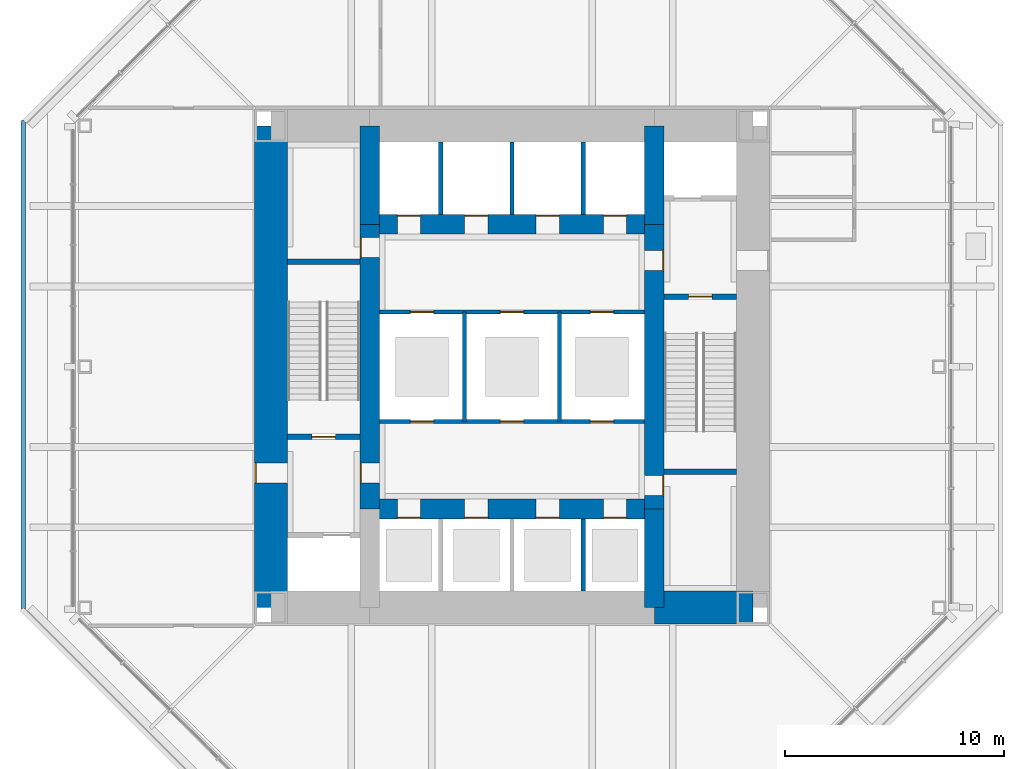
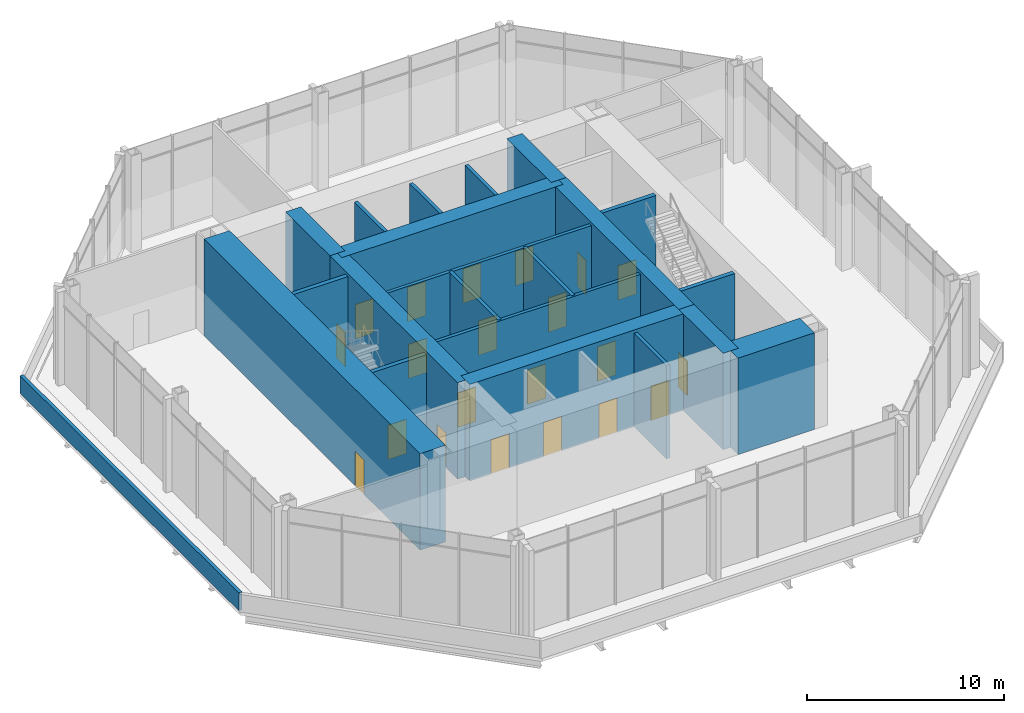
# One storey, part 7 of 10: 22 walls, 21 doors, 21 openings.
"""IFC4 building model written with IfcOpenShell, lengths in metres."""

from ifc_helpers import new_model, si_unit, direction, frame, frame_2d, origin, place, context, subcontext, project, spatial, rectangle, extrude, material, layer, layer_set, type_object, element, fill, save


model = new_model("IFC4")

# Units and contexts
model_context = context("Model", 3, precision=1e-05, world=origin(), true_north=direction((0.0, 1.0)))
body_context = subcontext(model_context, "Body", "Model", "MODEL_VIEW")
ifc_project = project(units=[si_unit("LENGTHUNIT", "METRE"), si_unit("AREAUNIT", "SQUARE_METRE"), si_unit("VOLUMEUNIT", "CUBIC_METRE"), si_unit("PLANEANGLEUNIT", "RADIAN"), si_unit("MASSUNIT", "GRAM", prefix="KILO")], contexts=[model_context])

# Site, building, storey
site_placement = place(None, origin())
site = spatial("IfcSite", under=ifc_project, at=site_placement, CompositionType="ELEMENT")
building_placement = place(site_placement, origin())
building = spatial("IfcBuilding", under=site, at=building_placement, Name="Trevanion Tower", CompositionType="ELEMENT")
storey_placement = place(building_placement, frame((0.0, 0.0, 184.699951171875)))
storey = spatial("IfcBuildingStorey", under=building, at=storey_placement, Name="L43", CompositionType="ELEMENT", Elevation=184.699951171875)

# Wall, opening, door
ifc_material_1 = material(Name="Concrete 10,000 psi", Category="concrete")
ifc_layer_1 = layer(ifc_material_1, 1.5)
ifc_layer_set_1 = layer_set([ifc_layer_1], Name="CW1 core wall 1500")
wall_type_1 = type_object("IfcWallType", Name="CW1 core wall 1500", PredefinedType="SHEAR", material=ifc_layer_set_1)
wall_1_placement = place(storey_placement, frame((-11.0, 11.0, 0.0), z_axis=(0.0, 0.0, 1.0), x_axis=(0.0, -1.0, 0.0)))
wall_1 = element("IfcWall", 1, at=wall_1_placement, inside=storey, type_object=wall_type_1, Name="CW1 CW L43", PredefinedType="SHEAR", context=body_context, shape_type="SweptSolid", body=[
    extrude(rectangle(XDim=22.0, YDim=1.5, at=frame_2d((11.0, 0.0))), origin(), (0.0, 0.0, 1.0), 6.0),
])
opening_1_placement = place(wall_1_placement, frame((15.392578125, 0.0, 0.0)))
opening_1 = element("IfcOpeningElement", 2, at=opening_1_placement, cuts=wall_1, Name="Opening 43-002", PredefinedType="OPENING", context=body_context, shape_type="SweptSolid", body=[
    extrude(rectangle(XDim=0.9150390625, YDim=2.134033203125, at=frame_2d((0.45751953125, 1.06689453125))), frame((0.0, 0.760009765625, 0.0), z_axis=(0.0, -1.0, 0.0), x_axis=(1.0, 0.0, 0.0)), (0.0, 0.0, 1.0), 1.52001953125),
])
ifc_material_2 = material(Name="Hollow metal, fire rated", Category="steel")
door_type_1 = type_object("IfcDoorType", Name="D3 fire lift lobby door", OperationType="SINGLE_SWING_RIGHT", PredefinedType="DOOR", material=ifc_material_2)
door_1_placement = place(opening_1_placement, origin())
door_1 = element("IfcDoor", 3, at=door_1_placement, inside=storey, type_object=door_type_1, Name="Door 43-002", OperationType="SINGLE_SWING_RIGHT", OverallHeight=2.134033203125, OverallWidth=0.9150390625, PredefinedType="DOOR", context=body_context, shape_type="SweptSolid", body=[
    extrude(rectangle(XDim=0.9150390625, YDim=2.134033203125, at=frame_2d((0.45751953125, 1.06689453125))), frame((0.0, -0.6748046875, 0.0), z_axis=(0.0, -1.0, 0.0), x_axis=(1.0, 0.0, 0.0)), (0.0, 0.0, 1.0), 0.050048828125),
])
fill(opening_1, door_1)

# Walls
wall_2_placement = place(storey_placement, frame((6.5, -11.0, 0.0), z_axis=(0.0, 0.0, 1.0), x_axis=(1.0, 0.0, 0.0)))
element("IfcWall", 4, at=wall_2_placement, inside=storey, type_object=wall_type_1, Name="CW1 CS3 L43", PredefinedType="SHEAR", context=body_context, shape_type="SweptSolid", body=[
    extrude(rectangle(XDim=4.5, YDim=1.5, at=frame_2d((2.25, 0.0))), origin(), (0.0, 0.0, 1.0), 6.0),
])
ifc_material_3 = material(Name="Concrete 10,000 psi", Category="concrete")
ifc_layer_2 = layer(ifc_material_3, 0.89990234375)
ifc_layer_set_2 = layer_set([ifc_layer_2], Name="CW2 core wall 900")
wall_type_2 = type_object("IfcWallType", Name="CW2 core wall 900", PredefinedType="SHEAR", material=ifc_layer_set_2)
wall_3_placement = place(storey_placement, frame((6.5, -11.0, 0.0), z_axis=(0.0, 0.0, 1.0), x_axis=(0.0, 1.0, 0.0)))
element("IfcWall", 5, at=wall_3_placement, inside=storey, type_object=wall_type_2, Name="CW2 RE1 L43", PredefinedType="SHEAR", context=body_context, shape_type="SweptSolid", body=[
    extrude(rectangle(XDim=4.5, YDim=0.89990234375, at=frame_2d((2.25, 0.0))), origin(), (0.0, 0.0, 1.0), 6.0),
])

# Wall, openings, doors
wall_4_placement = place(storey_placement, frame((6.5, -6.5, 0.0), z_axis=(0.0, 0.0, 1.0), x_axis=(0.0, 1.0, 0.0)))
wall_4 = element("IfcWall", 6, at=wall_4_placement, inside=storey, type_object=wall_type_2, Name="CW2 RE2 L43", PredefinedType="SHEAR", context=body_context, shape_type="SweptSolid", body=[
    extrude(rectangle(XDim=13.0, YDim=0.89990234375, at=frame_2d((6.5, 0.0))), origin(), (0.0, 0.0, 1.0), 6.0),
])
opening_2_placement = place(wall_4_placement, frame((10.892578125, 0.0, 0.0)))
opening_2 = element("IfcOpeningElement", 7, at=opening_2_placement, cuts=wall_4, Name="Opening 43-003", PredefinedType="OPENING", context=body_context, shape_type="SweptSolid", body=[
    extrude(rectangle(XDim=0.9150390625, YDim=2.134033203125, at=frame_2d((0.45751953125, 1.06689453125))), frame((0.0, 0.4599609375, 0.0), z_axis=(0.0, -1.0, 0.0), x_axis=(1.0, 0.0, 0.0)), (0.0, 0.0, 1.0), 0.919921875),
])
opening_3_placement = place(wall_4_placement, frame((0.610107421875, 0.0, 0.0)))
opening_3 = element("IfcOpeningElement", 8, at=opening_3_placement, cuts=wall_4, Name="Opening 43-009", PredefinedType="OPENING", context=body_context, shape_type="SweptSolid", body=[
    extrude(rectangle(XDim=0.9150390625, YDim=2.134033203125, at=frame_2d((0.45751953125, 1.06689453125))), frame((0.0, 0.4599609375, 0.0), z_axis=(0.0, -1.0, 0.0), x_axis=(1.0, 0.0, 0.0)), (0.0, 0.0, 1.0), 0.919921875),
])
door_2_placement = place(opening_2_placement, origin())
door_2 = element("IfcDoor", 9, at=door_2_placement, inside=storey, type_object=door_type_1, Name="Door 43-003", OperationType="SINGLE_SWING_RIGHT", OverallHeight=2.134033203125, OverallWidth=0.9150390625, PredefinedType="DOOR", context=body_context, shape_type="SweptSolid", body=[
    extrude(rectangle(XDim=0.9150390625, YDim=2.134033203125, at=frame_2d((0.45751953125, 1.06689453125))), frame((0.0, -0.375, 0.0), z_axis=(0.0, -1.0, 0.0), x_axis=(1.0, 0.0, 0.0)), (0.0, 0.0, 1.0), 0.050048828125),
])
fill(opening_2, door_2)
ifc_material_4 = material(Name="Hollow metal, fire rated", Category="steel")
door_type_2 = type_object("IfcDoorType", Name="D5 service room door", OperationType="SINGLE_SWING_RIGHT", PredefinedType="DOOR", material=ifc_material_4)
door_3_placement = place(opening_3_placement, origin())
door_3 = element("IfcDoor", 10, at=door_3_placement, inside=storey, type_object=door_type_2, Name="Door 43-009", OperationType="SINGLE_SWING_RIGHT", OverallHeight=2.134033203125, OverallWidth=0.9150390625, PredefinedType="DOOR", context=body_context, shape_type="SweptSolid", body=[
    extrude(rectangle(XDim=0.9150390625, YDim=2.134033203125, at=frame_2d((0.45751953125, 1.06689453125))), frame((0.0, -0.375, 0.0), z_axis=(0.0, -1.0, 0.0), x_axis=(1.0, 0.0, 0.0)), (0.0, 0.0, 1.0), 0.050048828125),
])
fill(opening_3, door_3)

# Walls
for number, where, z_axis, x_axis, name in (
    (11, (6.5, 6.5, 0.0), (0.0, 0.0, 1.0), (0.0, 1.0, 0.0), "CW2 RE3 L43"),
    (12, (-6.5, 11.0, 0.0), (0.0, 0.0, 1.0), (0.0, -1.0, 0.0), "CW2 RW1 L43"),
):
    element("IfcWall", number, at=place(storey_placement, frame(where, z_axis=z_axis, x_axis=x_axis)), inside=storey, type_object=wall_type_2, Name=name, PredefinedType="SHEAR", context=body_context, shape_type="SweptSolid", body=[
        extrude(rectangle(XDim=4.5, YDim=0.89990234375, at=frame_2d((2.25, 0.0))), origin(), (0.0, 0.0, 1.0), 6.0),
    ])

# Wall, openings, doors
wall_5_placement = place(storey_placement, frame((-6.5, 6.5, 0.0), z_axis=(0.0, 0.0, 1.0), x_axis=(0.0, -1.0, 0.0)))
wall_5 = element("IfcWall", 13, at=wall_5_placement, inside=storey, type_object=wall_type_2, Name="CW2 RW2 L43", PredefinedType="SHEAR", context=body_context, shape_type="SweptSolid", body=[
    extrude(rectangle(XDim=13.0, YDim=0.89990234375, at=frame_2d((6.5, 0.0))), origin(), (0.0, 0.0, 1.0), 6.0),
])
opening_4_placement = place(wall_5_placement, frame((10.892578125, 0.0, 0.0)))
opening_4 = element("IfcOpeningElement", 14, at=opening_4_placement, cuts=wall_5, Name="Opening 43-004", PredefinedType="OPENING", context=body_context, shape_type="SweptSolid", body=[
    extrude(rectangle(XDim=0.9150390625, YDim=2.134033203125, at=frame_2d((0.45751953125, 1.06689453125))), frame((0.0, 0.4599609375, 0.0), z_axis=(0.0, -1.0, 0.0), x_axis=(1.0, 0.0, 0.0)), (0.0, 0.0, 1.0), 0.919921875),
])
opening_5_placement = place(wall_5_placement, frame((0.610107421875, 0.0, 0.0)))
opening_5 = element("IfcOpeningElement", 15, at=opening_5_placement, cuts=wall_5, Name="Opening 43-010", PredefinedType="OPENING", context=body_context, shape_type="SweptSolid", body=[
    extrude(rectangle(XDim=0.9150390625, YDim=2.134033203125, at=frame_2d((0.45751953125, 1.06689453125))), frame((0.0, 0.4599609375, 0.0), z_axis=(0.0, -1.0, 0.0), x_axis=(1.0, 0.0, 0.0)), (0.0, 0.0, 1.0), 0.919921875),
])
door_4_placement = place(opening_4_placement, origin())
door_4 = element("IfcDoor", 16, at=door_4_placement, inside=storey, type_object=door_type_1, Name="Door 43-004", OperationType="SINGLE_SWING_RIGHT", OverallHeight=2.134033203125, OverallWidth=0.9150390625, PredefinedType="DOOR", context=body_context, shape_type="SweptSolid", body=[
    extrude(rectangle(XDim=0.9150390625, YDim=2.134033203125, at=frame_2d((0.45751953125, 1.06689453125))), frame((0.0, -0.375, 0.0), z_axis=(0.0, -1.0, 0.0), x_axis=(1.0, 0.0, 0.0)), (0.0, 0.0, 1.0), 0.050048828125),
])
fill(opening_4, door_4)
door_5_placement = place(opening_5_placement, origin())
door_5 = element("IfcDoor", 17, at=door_5_placement, inside=storey, type_object=door_type_2, Name="Door 43-010", OperationType="SINGLE_SWING_RIGHT", OverallHeight=2.134033203125, OverallWidth=0.9150390625, PredefinedType="DOOR", context=body_context, shape_type="SweptSolid", body=[
    extrude(rectangle(XDim=0.9150390625, YDim=2.134033203125, at=frame_2d((0.45751953125, 1.06689453125))), frame((0.0, -0.375, 0.0), z_axis=(0.0, -1.0, 0.0), x_axis=(1.0, 0.0, 0.0)), (0.0, 0.0, 1.0), 0.050048828125),
])
fill(opening_5, door_5)

wall_6_placement = place(storey_placement, frame((6.5, 6.5, 0.0), z_axis=(0.0, 0.0, 1.0), x_axis=(-1.0, 0.0, 0.0)))
wall_6 = element("IfcWall", 18, at=wall_6_placement, inside=storey, type_object=wall_type_2, Name="CW2 RN L43", PredefinedType="SHEAR", context=body_context, shape_type="SweptSolid", body=[
    extrude(rectangle(XDim=13.0, YDim=0.89990234375, at=frame_2d((6.5, 0.0))), origin(), (0.0, 0.0, 1.0), 6.0),
])
opening_6_placement = place(wall_6_placement, frame((10.66650390625, 0.0, 0.0)))
opening_6 = element("IfcOpeningElement", 19, at=opening_6_placement, cuts=wall_6, Name="Opening 43-011", PredefinedType="OPENING", context=body_context, shape_type="SweptSolid", body=[
    extrude(rectangle(XDim=1.06689453125, YDim=2.134033203125, at=frame_2d((0.533447265625, 1.06689453125))), frame((0.0, 0.4599609375, 0.0), z_axis=(0.0, -1.0, 0.0), x_axis=(1.0, 0.0, 0.0)), (0.0, 0.0, 1.0), 0.919921875),
])
opening_7_placement = place(wall_6_placement, frame((7.591552734375, 0.0, 0.0)))
opening_7 = element("IfcOpeningElement", 20, at=opening_7_placement, cuts=wall_6, Name="Opening 43-012", PredefinedType="OPENING", context=body_context, shape_type="SweptSolid", body=[
    extrude(rectangle(XDim=1.06689453125, YDim=2.134033203125, at=frame_2d((0.533447265625, 1.06689453125))), frame((0.0, 0.4599609375, 0.0), z_axis=(0.0, -1.0, 0.0), x_axis=(1.0, 0.0, 0.0)), (0.0, 0.0, 1.0), 0.919921875),
])
opening_8_placement = place(wall_6_placement, frame((4.341552734375, 0.0, 0.0)))
opening_8 = element("IfcOpeningElement", 21, at=opening_8_placement, cuts=wall_6, Name="Opening 43-013", PredefinedType="OPENING", context=body_context, shape_type="SweptSolid", body=[
    extrude(rectangle(XDim=1.06689453125, YDim=2.134033203125, at=frame_2d((0.533447265625, 1.06689453125))), frame((0.0, 0.4599609375, 0.0), z_axis=(0.0, -1.0, 0.0), x_axis=(1.0, 0.0, 0.0)), (0.0, 0.0, 1.0), 0.919921875),
])
opening_9_placement = place(wall_6_placement, frame((1.2666015625, 0.0, 0.0)))
opening_9 = element("IfcOpeningElement", 22, at=opening_9_placement, cuts=wall_6, Name="Opening 43-014", PredefinedType="OPENING", context=body_context, shape_type="SweptSolid", body=[
    extrude(rectangle(XDim=1.06689453125, YDim=2.134033203125, at=frame_2d((0.533447265625, 1.06689453125))), frame((0.0, 0.4599609375, 0.0), z_axis=(0.0, -1.0, 0.0), x_axis=(1.0, 0.0, 0.0)), (0.0, 0.0, 1.0), 0.919921875),
])
ifc_material_5 = material(Name="Stainless steel, fire rated", Category="steel")
door_type_3 = type_object("IfcDoorType", Name="LD1 lift landing door", OperationType="SLIDING_TO_LEFT", PredefinedType="DOOR", material=ifc_material_5)
door_6_placement = place(opening_6_placement, origin())
door_6 = element("IfcDoor", 23, at=door_6_placement, inside=storey, type_object=door_type_3, Name="Door 43-011", OperationType="SLIDING_TO_LEFT", OverallHeight=2.134033203125, OverallWidth=1.06689453125, PredefinedType="DOOR", context=body_context, shape_type="SweptSolid", body=[
    extrude(rectangle(XDim=1.06689453125, YDim=2.134033203125, at=frame_2d((0.533447265625, 1.06689453125))), frame((0.0, -0.375, 0.0), z_axis=(0.0, -1.0, 0.0), x_axis=(1.0, 0.0, 0.0)), (0.0, 0.0, 1.0), 0.050048828125),
])
fill(opening_6, door_6)
door_7_placement = place(opening_7_placement, origin())
door_7 = element("IfcDoor", 24, at=door_7_placement, inside=storey, type_object=door_type_3, Name="Door 43-012", OperationType="SLIDING_TO_LEFT", OverallHeight=2.134033203125, OverallWidth=1.06689453125, PredefinedType="DOOR", context=body_context, shape_type="SweptSolid", body=[
    extrude(rectangle(XDim=1.06689453125, YDim=2.134033203125, at=frame_2d((0.533447265625, 1.06689453125))), frame((0.0, -0.375, 0.0), z_axis=(0.0, -1.0, 0.0), x_axis=(1.0, 0.0, 0.0)), (0.0, 0.0, 1.0), 0.050048828125),
])
fill(opening_7, door_7)
door_8_placement = place(opening_8_placement, origin())
door_8 = element("IfcDoor", 25, at=door_8_placement, inside=storey, type_object=door_type_3, Name="Door 43-013", OperationType="SLIDING_TO_LEFT", OverallHeight=2.134033203125, OverallWidth=1.06689453125, PredefinedType="DOOR", context=body_context, shape_type="SweptSolid", body=[
    extrude(rectangle(XDim=1.06689453125, YDim=2.134033203125, at=frame_2d((0.533447265625, 1.06689453125))), frame((0.0, -0.375, 0.0), z_axis=(0.0, -1.0, 0.0), x_axis=(1.0, 0.0, 0.0)), (0.0, 0.0, 1.0), 0.050048828125),
])
fill(opening_8, door_8)
door_9_placement = place(opening_9_placement, origin())
door_9 = element("IfcDoor", 26, at=door_9_placement, inside=storey, type_object=door_type_3, Name="Door 43-014", OperationType="SLIDING_TO_LEFT", OverallHeight=2.134033203125, OverallWidth=1.06689453125, PredefinedType="DOOR", context=body_context, shape_type="SweptSolid", body=[
    extrude(rectangle(XDim=1.06689453125, YDim=2.134033203125, at=frame_2d((0.533447265625, 1.06689453125))), frame((0.0, -0.375, 0.0), z_axis=(0.0, -1.0, 0.0), x_axis=(1.0, 0.0, 0.0)), (0.0, 0.0, 1.0), 0.050048828125),
])
fill(opening_9, door_9)

wall_7_placement = place(storey_placement, frame((-6.5, -6.5, 0.0), z_axis=(0.0, 0.0, 1.0), x_axis=(1.0, 0.0, 0.0)))
wall_7 = element("IfcWall", 27, at=wall_7_placement, inside=storey, type_object=wall_type_2, Name="CW2 RS L43", PredefinedType="SHEAR", context=body_context, shape_type="SweptSolid", body=[
    extrude(rectangle(XDim=13.0, YDim=0.89990234375, at=frame_2d((6.5, 0.0))), origin(), (0.0, 0.0, 1.0), 6.0),
])
opening_10_placement = place(wall_7_placement, frame((1.2666015625, 0.0, 0.0)))
opening_10 = element("IfcOpeningElement", 28, at=opening_10_placement, cuts=wall_7, Name="Opening 43-015", PredefinedType="OPENING", context=body_context, shape_type="SweptSolid", body=[
    extrude(rectangle(XDim=1.06689453125, YDim=2.134033203125, at=frame_2d((0.533447265625, 1.06689453125))), frame((0.0, 0.4599609375, 0.0), z_axis=(0.0, -1.0, 0.0), x_axis=(1.0, 0.0, 0.0)), (0.0, 0.0, 1.0), 0.919921875),
])
opening_11_placement = place(wall_7_placement, frame((4.341552734375, 0.0, 0.0)))
opening_11 = element("IfcOpeningElement", 29, at=opening_11_placement, cuts=wall_7, Name="Opening 43-016", PredefinedType="OPENING", context=body_context, shape_type="SweptSolid", body=[
    extrude(rectangle(XDim=1.06689453125, YDim=2.134033203125, at=frame_2d((0.533447265625, 1.06689453125))), frame((0.0, 0.4599609375, 0.0), z_axis=(0.0, -1.0, 0.0), x_axis=(1.0, 0.0, 0.0)), (0.0, 0.0, 1.0), 0.919921875),
])
opening_12_placement = place(wall_7_placement, frame((7.591552734375, 0.0, 0.0)))
opening_12 = element("IfcOpeningElement", 30, at=opening_12_placement, cuts=wall_7, Name="Opening 43-017", PredefinedType="OPENING", context=body_context, shape_type="SweptSolid", body=[
    extrude(rectangle(XDim=1.06689453125, YDim=2.134033203125, at=frame_2d((0.533447265625, 1.06689453125))), frame((0.0, 0.4599609375, 0.0), z_axis=(0.0, -1.0, 0.0), x_axis=(1.0, 0.0, 0.0)), (0.0, 0.0, 1.0), 0.919921875),
])
opening_13_placement = place(wall_7_placement, frame((10.66650390625, 0.0, 0.0)))
opening_13 = element("IfcOpeningElement", 31, at=opening_13_placement, cuts=wall_7, Name="Opening 43-018", PredefinedType="OPENING", context=body_context, shape_type="SweptSolid", body=[
    extrude(rectangle(XDim=1.06689453125, YDim=2.134033203125, at=frame_2d((0.533447265625, 1.06689453125))), frame((0.0, 0.4599609375, 0.0), z_axis=(0.0, -1.0, 0.0), x_axis=(1.0, 0.0, 0.0)), (0.0, 0.0, 1.0), 0.919921875),
])
door_10_placement = place(opening_10_placement, origin())
door_10 = element("IfcDoor", 32, at=door_10_placement, inside=storey, type_object=door_type_3, Name="Door 43-015", OperationType="SLIDING_TO_LEFT", OverallHeight=2.134033203125, OverallWidth=1.06689453125, PredefinedType="DOOR", context=body_context, shape_type="SweptSolid", body=[
    extrude(rectangle(XDim=1.06689453125, YDim=2.134033203125, at=frame_2d((0.533447265625, 1.06689453125))), frame((0.0, -0.375, 0.0), z_axis=(0.0, -1.0, 0.0), x_axis=(1.0, 0.0, 0.0)), (0.0, 0.0, 1.0), 0.050048828125),
])
fill(opening_10, door_10)
door_11_placement = place(opening_11_placement, origin())
door_11 = element("IfcDoor", 33, at=door_11_placement, inside=storey, type_object=door_type_3, Name="Door 43-016", OperationType="SLIDING_TO_LEFT", OverallHeight=2.134033203125, OverallWidth=1.06689453125, PredefinedType="DOOR", context=body_context, shape_type="SweptSolid", body=[
    extrude(rectangle(XDim=1.06689453125, YDim=2.134033203125, at=frame_2d((0.533447265625, 1.06689453125))), frame((0.0, -0.375, 0.0), z_axis=(0.0, -1.0, 0.0), x_axis=(1.0, 0.0, 0.0)), (0.0, 0.0, 1.0), 0.050048828125),
])
fill(opening_11, door_11)
door_12_placement = place(opening_12_placement, origin())
door_12 = element("IfcDoor", 34, at=door_12_placement, inside=storey, type_object=door_type_3, Name="Door 43-017", OperationType="SLIDING_TO_LEFT", OverallHeight=2.134033203125, OverallWidth=1.06689453125, PredefinedType="DOOR", context=body_context, shape_type="SweptSolid", body=[
    extrude(rectangle(XDim=1.06689453125, YDim=2.134033203125, at=frame_2d((0.533447265625, 1.06689453125))), frame((0.0, -0.375, 0.0), z_axis=(0.0, -1.0, 0.0), x_axis=(1.0, 0.0, 0.0)), (0.0, 0.0, 1.0), 0.050048828125),
])
fill(opening_12, door_12)
door_13_placement = place(opening_13_placement, origin())
door_13 = element("IfcDoor", 35, at=door_13_placement, inside=storey, type_object=door_type_3, Name="Door 43-018", OperationType="SLIDING_TO_LEFT", OverallHeight=2.134033203125, OverallWidth=1.06689453125, PredefinedType="DOOR", context=body_context, shape_type="SweptSolid", body=[
    extrude(rectangle(XDim=1.06689453125, YDim=2.134033203125, at=frame_2d((0.533447265625, 1.06689453125))), frame((0.0, -0.375, 0.0), z_axis=(0.0, -1.0, 0.0), x_axis=(1.0, 0.0, 0.0)), (0.0, 0.0, 1.0), 0.050048828125),
])
fill(opening_13, door_13)

# Wall
ifc_material_6 = material(Name="Reinforced concrete parapet faced in bronze metal coping", Category="concrete")
ifc_layer_3 = layer(ifc_material_6, 0.199951171875)
ifc_layer_set_3 = layer_set([ifc_layer_3], Name="PP1 parapet 200")
wall_type_3 = type_object("IfcWallType", Name="PP1 parapet 200", PredefinedType="PARAPET", material=ifc_layer_set_3)
wall_8_placement = place(storey_placement, frame((-22.320068359375, -11.032470703125, 0.0), z_axis=(0.0, 0.0, 1.0), x_axis=(0.0, 1.0, 0.0)))
element("IfcWall", 36, at=wall_8_placement, inside=storey, type_object=wall_type_3, Name="PP1 L43 4", PredefinedType="PARAPET", context=body_context, shape_type="SweptSolid", body=[
    extrude(rectangle(XDim=22.264892578125, YDim=0.199951171875, at=frame_2d((11.13232421875, 0.0))), origin(), (0.0, 0.0, 1.0), 1.10009765625),
])

# Wall, openings, doors
ifc_material_7 = material(Name="Concrete masonry, grouted", Category="masonry")
ifc_layer_4 = layer(ifc_material_7, 0.199951171875)
ifc_layer_set_4 = layer_set([ifc_layer_4], Name="PT2 partition 200 1 HR")
wall_type_4 = type_object("IfcWallType", Name="PT2 partition 200 1 HR", PredefinedType="PARTITIONING", material=ifc_layer_set_4)
wall_9_placement = place(storey_placement, frame((-6.050048828125, 2.5, 0.0), z_axis=(0.0, 0.0, 1.0), x_axis=(1.0, 0.0, 0.0)))
wall_9 = element("IfcWall", 37, at=wall_9_placement, inside=storey, type_object=wall_type_4, Name="PT2 L43 CP1", PredefinedType="PARTITIONING", context=body_context, shape_type="SweptSolid", body=[
    extrude(rectangle(XDim=12.10009765625, YDim=0.199951171875, at=frame_2d((6.050048828125, 0.0))), origin(), (0.0, 0.0, 1.0), 5.81005859375),
])
opening_14_placement = place(wall_9_placement, frame((1.408203125, 0.0, 0.0)))
opening_14 = element("IfcOpeningElement", 38, at=opening_14_placement, cuts=wall_9, Name="Opening 43-019", PredefinedType="OPENING", context=body_context, shape_type="SweptSolid", body=[
    extrude(rectangle(XDim=1.06689453125, YDim=2.134033203125, at=frame_2d((0.533447265625, 1.06689453125))), frame((0.0, 0.10986328125, 0.0), z_axis=(0.0, -1.0, 0.0), x_axis=(1.0, 0.0, 0.0)), (0.0, 0.0, 1.0), 0.219970703125),
])
opening_15_placement = place(wall_9_placement, frame((5.5166015625, 0.0, 0.0)))
opening_15 = element("IfcOpeningElement", 39, at=opening_15_placement, cuts=wall_9, Name="Opening 43-021", PredefinedType="OPENING", context=body_context, shape_type="SweptSolid", body=[
    extrude(rectangle(XDim=1.06689453125, YDim=2.134033203125, at=frame_2d((0.533447265625, 1.06689453125))), frame((0.0, 0.10986328125, 0.0), z_axis=(0.0, -1.0, 0.0), x_axis=(1.0, 0.0, 0.0)), (0.0, 0.0, 1.0), 0.219970703125),
])
opening_16_placement = place(wall_9_placement, frame((9.624755859375, 0.0, 0.0)))
opening_16 = element("IfcOpeningElement", 40, at=opening_16_placement, cuts=wall_9, Name="Opening 43-023", PredefinedType="OPENING", context=body_context, shape_type="SweptSolid", body=[
    extrude(rectangle(XDim=1.06689453125, YDim=2.134033203125, at=frame_2d((0.533447265625, 1.06689453125))), frame((0.0, 0.10986328125, 0.0), z_axis=(0.0, -1.0, 0.0), x_axis=(1.0, 0.0, 0.0)), (0.0, 0.0, 1.0), 0.219970703125),
])
door_14_placement = place(opening_14_placement, origin())
door_14 = element("IfcDoor", 41, at=door_14_placement, inside=storey, type_object=door_type_3, Name="Door 43-019", OperationType="SLIDING_TO_LEFT", OverallHeight=2.134033203125, OverallWidth=1.06689453125, PredefinedType="DOOR", context=body_context, shape_type="SweptSolid", body=[
    extrude(rectangle(XDim=1.06689453125, YDim=2.134033203125, at=frame_2d((0.533447265625, 1.06689453125))), frame((0.0, 0.02490234375, 0.0), z_axis=(0.0, -1.0, 0.0), x_axis=(1.0, 0.0, 0.0)), (0.0, 0.0, 1.0), 0.050048828125),
])
fill(opening_14, door_14)
door_15_placement = place(opening_15_placement, origin())
door_15 = element("IfcDoor", 42, at=door_15_placement, inside=storey, type_object=door_type_3, Name="Door 43-021", OperationType="SLIDING_TO_LEFT", OverallHeight=2.134033203125, OverallWidth=1.06689453125, PredefinedType="DOOR", context=body_context, shape_type="SweptSolid", body=[
    extrude(rectangle(XDim=1.06689453125, YDim=2.134033203125, at=frame_2d((0.533447265625, 1.06689453125))), frame((0.0, 0.02490234375, 0.0), z_axis=(0.0, -1.0, 0.0), x_axis=(1.0, 0.0, 0.0)), (0.0, 0.0, 1.0), 0.050048828125),
])
fill(opening_15, door_15)
door_16_placement = place(opening_16_placement, origin())
door_16 = element("IfcDoor", 43, at=door_16_placement, inside=storey, type_object=door_type_3, Name="Door 43-023", OperationType="SLIDING_TO_LEFT", OverallHeight=2.134033203125, OverallWidth=1.06689453125, PredefinedType="DOOR", context=body_context, shape_type="SweptSolid", body=[
    extrude(rectangle(XDim=1.06689453125, YDim=2.134033203125, at=frame_2d((0.533447265625, 1.06689453125))), frame((0.0, 0.02490234375, 0.0), z_axis=(0.0, -1.0, 0.0), x_axis=(1.0, 0.0, 0.0)), (0.0, 0.0, 1.0), 0.050048828125),
])
fill(opening_16, door_16)

wall_10_placement = place(storey_placement, frame((6.050048828125, -2.5, 0.0), z_axis=(0.0, 0.0, 1.0), x_axis=(-1.0, 0.0, 0.0)))
wall_10 = element("IfcWall", 44, at=wall_10_placement, inside=storey, type_object=wall_type_4, Name="PT2 L43 CP2", PredefinedType="PARTITIONING", context=body_context, shape_type="SweptSolid", body=[
    extrude(rectangle(XDim=12.10009765625, YDim=0.199951171875, at=frame_2d((6.050048828125, 0.0))), origin(), (0.0, 0.0, 1.0), 5.81005859375),
])
opening_17_placement = place(wall_10_placement, frame((9.624755859375, 0.0, 0.0)))
opening_17 = element("IfcOpeningElement", 45, at=opening_17_placement, cuts=wall_10, Name="Opening 43-020", PredefinedType="OPENING", context=body_context, shape_type="SweptSolid", body=[
    extrude(rectangle(XDim=1.06689453125, YDim=2.134033203125, at=frame_2d((0.533447265625, 1.06689453125))), frame((0.0, 0.10986328125, 0.0), z_axis=(0.0, -1.0, 0.0), x_axis=(1.0, 0.0, 0.0)), (0.0, 0.0, 1.0), 0.219970703125),
])
opening_18_placement = place(wall_10_placement, frame((5.5166015625, 0.0, 0.0)))
opening_18 = element("IfcOpeningElement", 46, at=opening_18_placement, cuts=wall_10, Name="Opening 43-022", PredefinedType="OPENING", context=body_context, shape_type="SweptSolid", body=[
    extrude(rectangle(XDim=1.06689453125, YDim=2.134033203125, at=frame_2d((0.533447265625, 1.06689453125))), frame((0.0, 0.10986328125, 0.0), z_axis=(0.0, -1.0, 0.0), x_axis=(1.0, 0.0, 0.0)), (0.0, 0.0, 1.0), 0.219970703125),
])
opening_19_placement = place(wall_10_placement, frame((1.408203125, 0.0, 0.0)))
opening_19 = element("IfcOpeningElement", 47, at=opening_19_placement, cuts=wall_10, Name="Opening 43-024", PredefinedType="OPENING", context=body_context, shape_type="SweptSolid", body=[
    extrude(rectangle(XDim=1.06689453125, YDim=2.134033203125, at=frame_2d((0.533447265625, 1.06689453125))), frame((0.0, 0.10986328125, 0.0), z_axis=(0.0, -1.0, 0.0), x_axis=(1.0, 0.0, 0.0)), (0.0, 0.0, 1.0), 0.219970703125),
])
door_17_placement = place(opening_17_placement, origin())
door_17 = element("IfcDoor", 48, at=door_17_placement, inside=storey, type_object=door_type_3, Name="Door 43-020", OperationType="SLIDING_TO_LEFT", OverallHeight=2.134033203125, OverallWidth=1.06689453125, PredefinedType="DOOR", context=body_context, shape_type="SweptSolid", body=[
    extrude(rectangle(XDim=1.06689453125, YDim=2.134033203125, at=frame_2d((0.533447265625, 1.06689453125))), frame((0.0, 0.02490234375, 0.0), z_axis=(0.0, -1.0, 0.0), x_axis=(1.0, 0.0, 0.0)), (0.0, 0.0, 1.0), 0.050048828125),
])
fill(opening_17, door_17)
door_18_placement = place(opening_18_placement, origin())
door_18 = element("IfcDoor", 49, at=door_18_placement, inside=storey, type_object=door_type_3, Name="Door 43-022", OperationType="SLIDING_TO_LEFT", OverallHeight=2.134033203125, OverallWidth=1.06689453125, PredefinedType="DOOR", context=body_context, shape_type="SweptSolid", body=[
    extrude(rectangle(XDim=1.06689453125, YDim=2.134033203125, at=frame_2d((0.533447265625, 1.06689453125))), frame((0.0, 0.02490234375, 0.0), z_axis=(0.0, -1.0, 0.0), x_axis=(1.0, 0.0, 0.0)), (0.0, 0.0, 1.0), 0.050048828125),
])
fill(opening_18, door_18)
door_19_placement = place(opening_19_placement, origin())
door_19 = element("IfcDoor", 50, at=door_19_placement, inside=storey, type_object=door_type_3, Name="Door 43-024", OperationType="SLIDING_TO_LEFT", OverallHeight=2.134033203125, OverallWidth=1.06689453125, PredefinedType="DOOR", context=body_context, shape_type="SweptSolid", body=[
    extrude(rectangle(XDim=1.06689453125, YDim=2.134033203125, at=frame_2d((0.533447265625, 1.06689453125))), frame((0.0, 0.02490234375, 0.0), z_axis=(0.0, -1.0, 0.0), x_axis=(1.0, 0.0, 0.0)), (0.0, 0.0, 1.0), 0.050048828125),
])
fill(opening_19, door_19)

# Walls
ifc_material_8 = material(Name="Concrete masonry, grouted", Category="masonry")
ifc_layer_5 = layer(ifc_material_8, 0.199951171875)
ifc_layer_set_5 = layer_set([ifc_layer_5], Name="PT2 partition 200 2 HR")
wall_type_5 = type_object("IfcWallType", Name="PT2 partition 200 2 HR", PredefinedType="PARTITIONING", material=ifc_layer_set_5)
for number, where, z_axis, x_axis, name in (
    (51, (-3.25, 6.949951171875, 0.0), (0.0, 0.0, 1.0), (0.0, 1.0, 0.0), "PT2 L43 NS0"),
    (52, (0.0, 6.949951171875, 0.0), (0.0, 0.0, 1.0), (0.0, 1.0, 0.0), "PT2 L43 NS1"),
    (53, (3.25, 6.949951171875, 0.0), (0.0, 0.0, 1.0), (0.0, 1.0, 0.0), "PT2 L43 NS2"),
    (54, (3.25, -10.25, 0.0), (0.0, 0.0, 1.0), (0.0, 1.0, 0.0), "PT2 L43 SS2"),
):
    element("IfcWall", number, at=place(storey_placement, frame(where, z_axis=z_axis, x_axis=x_axis)), inside=storey, type_object=wall_type_5, Name=name, PredefinedType="PARTITIONING", context=body_context, shape_type="SweptSolid", body=[
        extrude(rectangle(XDim=3.300048828125, YDim=0.199951171875, at=frame_2d((1.64990234375, 0.0))), origin(), (0.0, 0.0, 1.0), 5.81005859375),
    ])
for number, where, z_axis, x_axis, name in (
    (55, (-2.166748046875, -2.5, 0.0), (0.0, 0.0, 1.0), (0.0, 1.0, 0.0), "PT2 L43 MS0"),
    (56, (2.166748046875, -2.5, 0.0), (0.0, 0.0, 1.0), (0.0, 1.0, 0.0), "PT2 L43 MS1"),
):
    element("IfcWall", number, at=place(storey_placement, frame(where, z_axis=z_axis, x_axis=x_axis)), inside=storey, type_object=wall_type_5, Name=name, PredefinedType="PARTITIONING", context=body_context, shape_type="SweptSolid", body=[
        extrude(rectangle(XDim=5.0, YDim=0.199951171875, at=frame_2d((2.5, 0.0))), origin(), (0.0, 0.0, 1.0), 5.81005859375),
    ])
ifc_material_9 = material(Name="Reinforced masonry, fully grouted", Category="masonry")
ifc_layer_6 = layer(ifc_material_9, 0.25)
ifc_layer_set_6 = layer_set([ifc_layer_6], Name="SW1 stair shaft wall 250")
wall_type_6 = type_object("IfcWallType", Name="SW1 stair shaft wall 250", PredefinedType="SOLIDWALL", material=ifc_layer_set_6)
for number, where, z_axis, x_axis, name in (
    (57, (6.949951171875, -4.800048828125, 0.0), (0.0, 0.0, 1.0), (1.0, 0.0, 0.0), "SW1 L43 EP1"),
    (58, (-6.949951171875, 4.800048828125, 0.0), (0.0, 0.0, 1.0), (-1.0, 0.0, 0.0), "SW1 L43 WP1"),
):
    element("IfcWall", number, at=place(storey_placement, frame(where, z_axis=z_axis, x_axis=x_axis)), inside=storey, type_object=wall_type_6, Name=name, PredefinedType="SOLIDWALL", context=body_context, shape_type="SweptSolid", body=[
        extrude(rectangle(XDim=3.300048828125, YDim=0.25, at=frame_2d((1.64990234375, 0.0))), origin(), (0.0, 0.0, 1.0), 5.81005859375),
    ])

# Wall, opening, door
wall_11_placement = place(storey_placement, frame((6.949951171875, 3.199951171875, 0.0), z_axis=(0.0, 0.0, 1.0), x_axis=(1.0, 0.0, 0.0)))
wall_11 = element("IfcWall", 59, at=wall_11_placement, inside=storey, type_object=wall_type_6, Name="SW1 L43 EP2", PredefinedType="SOLIDWALL", context=body_context, shape_type="SweptSolid", body=[
    extrude(rectangle(XDim=3.300048828125, YDim=0.25, at=frame_2d((1.64990234375, 0.0))), origin(), (0.0, 0.0, 1.0), 5.81005859375),
])
opening_20_placement = place(wall_11_placement, frame((1.116455078125, 0.0, 0.0)))
opening_20 = element("IfcOpeningElement", 60, at=opening_20_placement, cuts=wall_11, Name="Opening 43-005", PredefinedType="OPENING", context=body_context, shape_type="SweptSolid", body=[
    extrude(rectangle(XDim=1.06689453125, YDim=2.134033203125, at=frame_2d((0.533447265625, 1.06689453125))), frame((0.0, 0.135009765625, 0.0), z_axis=(0.0, -1.0, 0.0), x_axis=(1.0, 0.0, 0.0)), (0.0, 0.0, 1.0), 0.27001953125),
])
ifc_material_10 = material(Name="Hollow metal, fire rated", Category="steel")
door_type_4 = type_object("IfcDoorType", Name="D2 exit stair door", OperationType="SINGLE_SWING_LEFT", PredefinedType="DOOR", material=ifc_material_10)
door_20_placement = place(opening_20_placement, origin())
door_20 = element("IfcDoor", 61, at=door_20_placement, inside=storey, type_object=door_type_4, Name="Door 43-005", OperationType="SINGLE_SWING_LEFT", OverallHeight=2.134033203125, OverallWidth=1.06689453125, PredefinedType="DOOR", context=body_context, shape_type="SweptSolid", body=[
    extrude(rectangle(XDim=1.06689453125, YDim=2.134033203125, at=frame_2d((0.533447265625, 1.06689453125))), frame((0.0, 0.02490234375, 0.0), z_axis=(0.0, -1.0, 0.0), x_axis=(1.0, 0.0, 0.0)), (0.0, 0.0, 1.0), 0.050048828125),
])
fill(opening_20, door_20)

wall_12_placement = place(storey_placement, frame((-6.949951171875, -3.199951171875, 0.0), z_axis=(0.0, 0.0, 1.0), x_axis=(-1.0, 0.0, 0.0)))
wall_12 = element("IfcWall", 62, at=wall_12_placement, inside=storey, type_object=wall_type_6, Name="SW1 L43 WP2", PredefinedType="SOLIDWALL", context=body_context, shape_type="SweptSolid", body=[
    extrude(rectangle(XDim=3.300048828125, YDim=0.25, at=frame_2d((1.64990234375, 0.0))), origin(), (0.0, 0.0, 1.0), 5.81005859375),
])
opening_21_placement = place(wall_12_placement, frame((1.116455078125, 0.0, 0.0)))
opening_21 = element("IfcOpeningElement", 63, at=opening_21_placement, cuts=wall_12, Name="Opening 43-006", PredefinedType="OPENING", context=body_context, shape_type="SweptSolid", body=[
    extrude(rectangle(XDim=1.06689453125, YDim=2.134033203125, at=frame_2d((0.533447265625, 1.06689453125))), frame((0.0, 0.135009765625, 0.0), z_axis=(0.0, -1.0, 0.0), x_axis=(1.0, 0.0, 0.0)), (0.0, 0.0, 1.0), 0.27001953125),
])
door_21_placement = place(opening_21_placement, origin())
door_21 = element("IfcDoor", 64, at=door_21_placement, inside=storey, type_object=door_type_4, Name="Door 43-006", OperationType="SINGLE_SWING_LEFT", OverallHeight=2.134033203125, OverallWidth=1.06689453125, PredefinedType="DOOR", context=body_context, shape_type="SweptSolid", body=[
    extrude(rectangle(XDim=1.06689453125, YDim=2.134033203125, at=frame_2d((0.533447265625, 1.06689453125))), frame((0.0, 0.02490234375, 0.0), z_axis=(0.0, -1.0, 0.0), x_axis=(1.0, 0.0, 0.0)), (0.0, 0.0, 1.0), 0.050048828125),
])
fill(opening_21, door_21)

save(model, "model.ifc")
